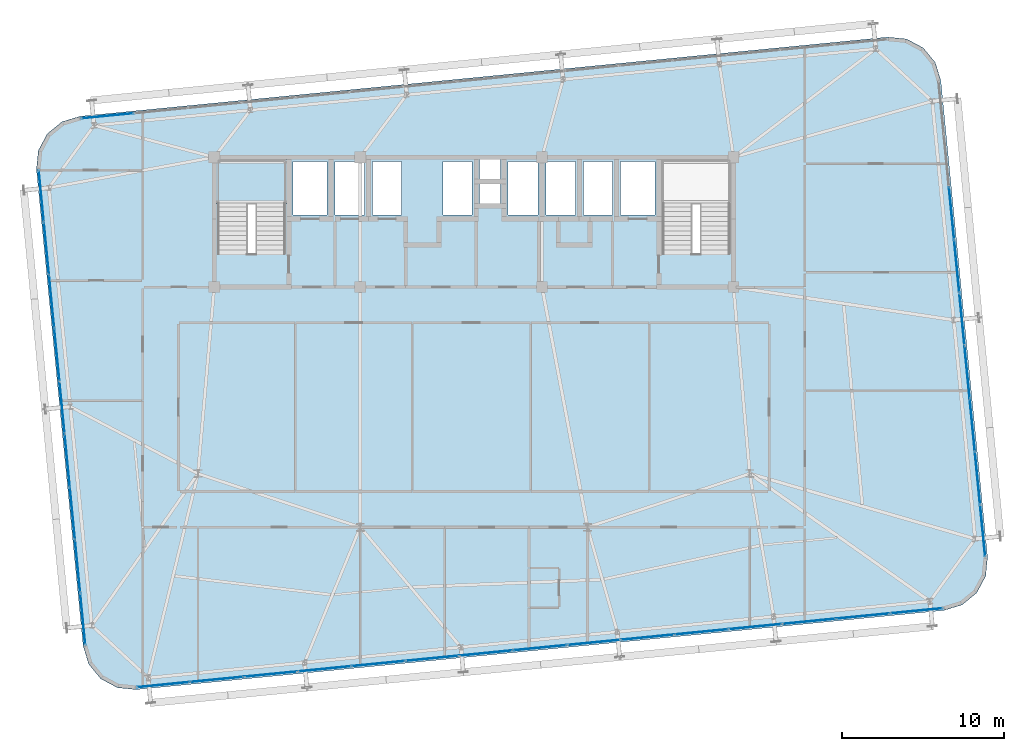
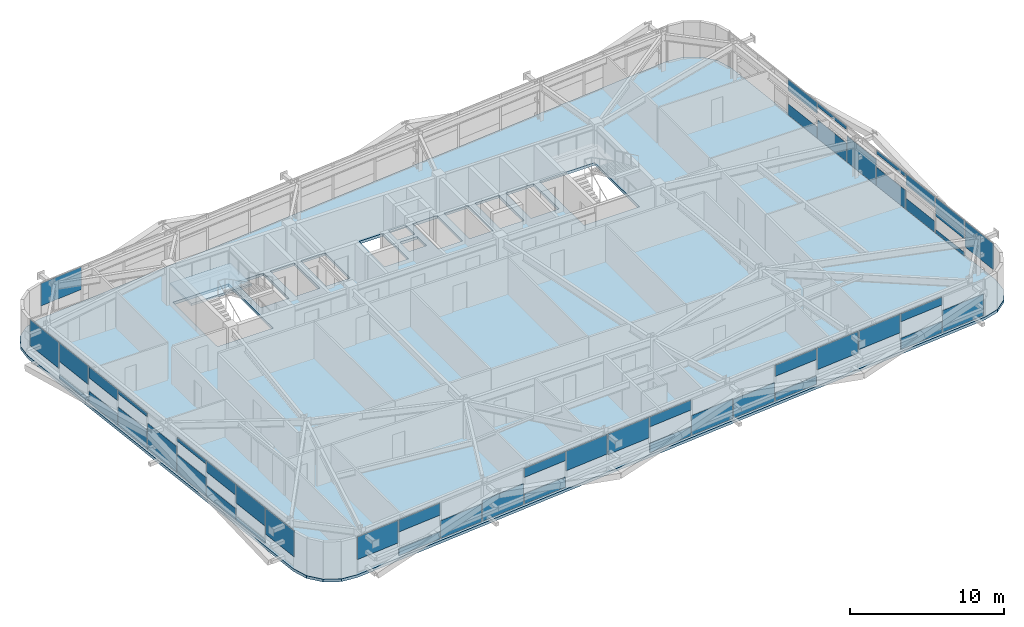
# One storey, part 36 of 52: 48 plates, 2 slabs, 5 elements without a shape of their own.
"""IFC4 building model written with IfcOpenShell, lengths in metres."""

from ifc_helpers import new_model, si_unit, direction, frame, origin, origin_2d, place, context, subcontext, project, spatial, polyline, rectangle, outline, extrude, source, transform, mapped, material, layer, layer_set, type_object, element, aggregate, save


model = new_model("IFC4")

# Units and contexts
model_context = context("Model", 3, precision=1e-05, world=origin(), true_north=direction((0.0, 1.0)))
body_context = subcontext(model_context, "Body", "Model", "MODEL_VIEW")
ifc_project = project(units=[si_unit("LENGTHUNIT", "METRE"), si_unit("AREAUNIT", "SQUARE_METRE"), si_unit("VOLUMEUNIT", "CUBIC_METRE"), si_unit("PLANEANGLEUNIT", "RADIAN"), si_unit("MASSUNIT", "GRAM", prefix="KILO")], contexts=[model_context])

# Site, building, storey
site_placement = place(None, origin())
site = spatial("IfcSite", under=ifc_project, at=site_placement, CompositionType="ELEMENT")
building_placement = place(site_placement, origin())
building = spatial("IfcBuilding", under=site, at=building_placement, Name="Taldren Reach Tower", CompositionType="ELEMENT")
storey_placement = place(building_placement, frame((0.0, 0.0, 93.449951171875)))
storey = spatial("IfcBuildingStorey", under=building, at=storey_placement, Name="L28", CompositionType="ELEMENT", Elevation=93.449951171875)

# Slab
ifc_material_1 = material(Name="Concrete N40 (40 MPa)", Category="concrete")
ifc_layer_1 = layer(ifc_material_1, 0.219970703125)
ifc_layer_set_1 = layer_set([ifc_layer_1], Name="Concrete N40 (40 MPa)")
slab_type_1 = type_object("IfcSlabType", Name="SL-FLR-220", PredefinedType="FLOOR", material=ifc_layer_set_1)
slab_1_placement = place(storey_placement, frame((0.0, 0.0, -0.219970703125)))
element("IfcSlab", 1, at=slab_1_placement, inside=storey, type_object=slab_type_1, Name="Suspended floor slab L28", PredefinedType="FLOOR", context=body_context, shape_type="SweptSolid", body=[
    extrude(outline(polyline([(63.962890625, 4.07421875), (65.0830078125, 4.41357421875), (65.98828125, 5.15576171875), (66.54052734375, 6.187744140625), (66.65576171875, 7.352783203125), (63.777099609375, 36.7119140625), (63.437744140625, 37.832275390625), (62.695556640625, 38.7373046875), (61.663330078125, 39.28955078125), (60.49853515625, 39.40478515625), (10.7373046875, 34.525634765625), (9.616943359375, 34.1865234375), (8.711669921875, 33.4443359375), (8.159423828125, 32.412109375), (8.044189453125, 31.247314453125), (10.923095703125, 1.88818359375), (11.26220703125, 0.767822265625), (12.00439453125, -0.137451171875), (13.03662109375, -0.689697265625), (14.201416015625, -0.804931640625), (63.962890625, 4.07421875)]), holes=[polyline([(19.219970703125, 26.050048828125), (23.3798828125, 26.050048828125), (23.3798828125, 31.820068359375), (19.219970703125, 31.820068359375), (19.219970703125, 26.050048828125)]), polyline([(46.6201171875, 26.050048828125), (50.780029296875, 26.050048828125), (50.780029296875, 31.820068359375), (46.6201171875, 31.820068359375), (46.6201171875, 26.050048828125)]), polyline([(23.85009765625, 28.449951171875), (25.949951171875, 28.449951171875), (25.949951171875, 31.75), (23.85009765625, 31.75), (23.85009765625, 28.449951171875)]), polyline([(44.050048828125, 28.449951171875), (46.14990234375, 28.449951171875), (46.14990234375, 31.75), (44.050048828125, 31.75), (44.050048828125, 28.449951171875)]), polyline([(26.449951171875, 28.449951171875), (28.25, 28.449951171875), (28.25, 31.75), (26.449951171875, 31.75), (26.449951171875, 28.449951171875)]), polyline([(28.75, 28.449951171875), (30.550048828125, 28.449951171875), (30.550048828125, 31.75), (28.75, 31.75), (28.75, 28.449951171875)]), polyline([(33.10009765625, 28.449951171875), (34.89990234375, 28.449951171875), (34.89990234375, 31.75), (33.10009765625, 31.75), (33.10009765625, 28.449951171875)]), polyline([(37.10009765625, 28.449951171875), (38.949951171875, 28.449951171875), (38.949951171875, 31.75), (37.10009765625, 31.75), (37.10009765625, 28.449951171875)]), polyline([(39.449951171875, 28.449951171875), (41.25, 28.449951171875), (41.25, 31.75), (39.449951171875, 31.75), (39.449951171875, 28.449951171875)]), polyline([(41.75, 28.449951171875), (43.550048828125, 28.449951171875), (43.550048828125, 31.75), (41.75, 31.75), (41.75, 28.449951171875)]), polyline([(35.35009765625, 30.64990234375), (36.64990234375, 30.64990234375), (36.64990234375, 31.85009765625), (35.35009765625, 31.85009765625), (35.35009765625, 30.64990234375)]), polyline([(35.35009765625, 29.14990234375), (36.64990234375, 29.14990234375), (36.64990234375, 30.35009765625), (35.35009765625, 30.35009765625), (35.35009765625, 29.14990234375)])]), origin(), (0.0, 0.0, 1.0), 0.219970703125),
])

# Stair, slab
ifc_material_2 = material(Name="Concrete S50 (50 MPa)", Category="concrete")
stair_type = type_object("IfcStairType", Name="ST-HT-315", PredefinedType="HALF_TURN_STAIR", material=ifc_material_2)
stair_placement = place(storey_placement, origin())
stair = element("IfcStair", 2, at=stair_placement, inside=storey, type_object=stair_type, Name="Fire-isolated exit stair ST1 L28", PredefinedType="HALF_TURN_STAIR")
ifc_layer_2 = layer(ifc_material_2, 0.179931640625)
ifc_layer_set_2 = layer_set([ifc_layer_2], Name="Concrete S50 (50 MPa)")
slab_type_2 = type_object("IfcSlabType", Name="SL-LAND-180", PredefinedType="LANDING", material=ifc_layer_set_2)
slab_2_placement = place(storey_placement, frame((0.0, 0.0, 1.39501953125)))
slab_2 = element("IfcSlab", 3, at=slab_2_placement, type_object=slab_type_2, Name="ST1 landing 1", PredefinedType="LANDING", context=body_context, shape_type="SweptSolid", body=[
    extrude(outline(polyline([(19.0400390625, 29.135009765625), (23.56005859375, 29.135009765625), (23.56005859375, 31.8701171875), (19.0400390625, 31.8701171875), (19.0400390625, 29.135009765625)])), origin(), (0.0, 0.0, 1.0), 0.179931640625),
])
aggregate(stair, [slab_2])

# Curtain wall, plates
ifc_material_3 = material(Name="Aluminium and Low-E Glass Unitised System", Category="aluminium")
ifc_layer_3 = layer(ifc_material_3, 0.159912109375)
ifc_layer_set_3 = layer_set([ifc_layer_3], Name="Aluminium and Low-E Glass Unitised System")
curtain_wall_type = type_object("IfcCurtainWallType", Name="CW-SYS-3", PredefinedType="NOTDEFINED", material=ifc_layer_set_3)
curtain_wall_1_placement = place(storey_placement, origin())
curtain_wall_1 = element("IfcCurtainWall", 4, at=curtain_wall_1_placement, inside=storey, type_object=curtain_wall_type, Name="Unitised curtain wall CW-L28-S", PredefinedType="NOTDEFINED")
ifc_material_4 = material(Name="Solar-Control Double Glazed IGU", Category="glass")
ifc_layer_4 = layer(ifc_material_4, 0.031982421875)
ifc_layer_set_4 = layer_set([ifc_layer_4], Name="Solar-Control Double Glazed IGU")
plate_type = type_object("IfcPlateType", Name="CW-PNL-IGU32", PredefinedType="CURTAIN_PANEL", material=ifc_layer_set_4)
shared_shape_1 = source(origin(), body_context, "Body", "SweptSolid", [
    extrude(rectangle(XDim=3.23583984375, YDim=0.031982421875, at=origin_2d()), origin(), (0.0, 0.0, 1.0), 1.72509765625),
])
plate_1_placement = place(storey_placement, frame((62.274169921875, 4.04931640625, 0.054931640625), z_axis=(0.0, 0.0, 1.0), x_axis=(0.995227390247, 0.097582999046, 0.0)))
plate_1 = element("IfcPlate", 5, at=plate_1_placement, type_object=plate_type, Name="CW-3 panel 15.1 part 1", PredefinedType="CURTAIN_PANEL", context=body_context, shape_type="MappedRepresentation", body=[
    mapped(shared_shape_1, transform((0.0, 0.0, 0.0), scale=1.0)),
])
shared_shape_2 = source(origin(), body_context, "Body", "SweptSolid", [
    extrude(rectangle(XDim=3.268310546875, YDim=0.031982421875, at=origin_2d()), origin(), (0.0, 0.0, 1.0), 0.88818359375),
])
plate_2_placement = place(storey_placement, frame((58.972900390625, 3.7255859375, 0.05517578125), z_axis=(0.0, 0.0, 1.0), x_axis=(0.995227390247, 0.097582999046, 0.0)))
plate_2 = element("IfcPlate", 6, at=plate_2_placement, type_object=plate_type, Name="CW-3 panel 14.1 part 1", PredefinedType="CURTAIN_PANEL", context=body_context, shape_type="MappedRepresentation", body=[
    mapped(shared_shape_2, transform((0.0, 0.0, 0.0), scale=1.0)),
])
shared_shape_3 = source(origin(), body_context, "Body", "SweptSolid", [
    extrude(rectangle(XDim=3.268310546875, YDim=0.031982421875, at=origin_2d()), origin(), (0.0, 0.0, 1.0), 0.626953125),
])
plate_3_placement = place(storey_placement, frame((58.972900390625, 3.7255859375, 2.248046875), z_axis=(0.0, 0.0, 1.0), x_axis=(0.995227390247, 0.097582999046, 0.0)))
plate_3 = element("IfcPlate", 7, at=plate_3_placement, type_object=plate_type, Name="CW-3 panel 14.1 part 2", PredefinedType="CURTAIN_PANEL", context=body_context, shape_type="MappedRepresentation", body=[
    mapped(shared_shape_3, transform((0.0, 0.0, 0.0), scale=1.0)),
])
shared_shape_4 = source(origin(), body_context, "Body", "SweptSolid", [
    extrude(rectangle(XDim=3.268310546875, YDim=0.031982421875, at=origin_2d()), origin(), (0.0, 0.0, 1.0), 1.4638671875),
])
plate_4_placement = place(storey_placement, frame((55.655517578125, 3.400390625, 1.4111328125), z_axis=(0.0, 0.0, 1.0), x_axis=(0.995227390247, 0.097582999046, 0.0)))
plate_4 = element("IfcPlate", 8, at=plate_4_placement, type_object=plate_type, Name="CW-3 panel 13.1 part 1", PredefinedType="CURTAIN_PANEL", context=body_context, shape_type="MappedRepresentation", body=[
    mapped(shared_shape_4, transform((0.0, 0.0, 0.0), scale=1.0)),
])
shared_shape_5 = source(origin(), body_context, "Body", "SweptSolid", [
    extrude(rectangle(XDim=3.268310546875, YDim=0.031982421875, at=origin_2d()), origin(), (0.0, 0.0, 1.0), 1.704833984375),
])
plate_5_placement = place(storey_placement, frame((52.338134765625, 3.0751953125, 1.17041015625), z_axis=(0.0, 0.0, 1.0), x_axis=(0.995227390247, 0.097582999046, 0.0)))
plate_5 = element("IfcPlate", 9, at=plate_5_placement, type_object=plate_type, Name="CW-3 panel 12.1 part 1", PredefinedType="CURTAIN_PANEL", context=body_context, shape_type="MappedRepresentation", body=[
    mapped(shared_shape_5, transform((0.0, 0.0, 0.0), scale=1.0)),
])
shared_shape_6 = source(origin(), body_context, "Body", "SweptSolid", [
    extrude(rectangle(XDim=3.268310546875, YDim=0.031982421875, at=origin_2d()), origin(), (0.0, 0.0, 1.0), 0.647216796875),
])
plate_6_placement = place(storey_placement, frame((49.020751953125, 2.749755859375, 0.05517578125), z_axis=(0.0, 0.0, 1.0), x_axis=(0.995227390247, 0.097582999046, 0.0)))
plate_6 = element("IfcPlate", 10, at=plate_6_placement, type_object=plate_type, Name="CW-3 panel 11.1 part 1", PredefinedType="CURTAIN_PANEL", context=body_context, shape_type="MappedRepresentation", body=[
    mapped(shared_shape_6, transform((0.0, 0.0, 0.0), scale=1.0)),
])
shared_shape_7 = source(origin(), body_context, "Body", "SweptSolid", [
    extrude(rectangle(XDim=3.268310546875, YDim=0.031982421875, at=origin_2d()), origin(), (0.0, 0.0, 1.0), 0.867919921875),
])
plate_7_placement = place(storey_placement, frame((49.020751953125, 2.749755859375, 2.00732421875), z_axis=(0.0, 0.0, 1.0), x_axis=(0.995227390247, 0.097582999046, 0.0)))
plate_7 = element("IfcPlate", 11, at=plate_7_placement, type_object=plate_type, Name="CW-3 panel 11.1 part 2", PredefinedType="CURTAIN_PANEL", context=body_context, shape_type="MappedRepresentation", body=[
    mapped(shared_shape_7, transform((0.0, 0.0, 0.0), scale=1.0)),
])
shared_shape_8 = source(origin(), body_context, "Body", "SweptSolid", [
    extrude(rectangle(XDim=3.268310546875, YDim=0.031982421875, at=origin_2d()), origin(), (0.0, 0.0, 1.0), 1.484130859375),
])
plate_8_placement = place(storey_placement, frame((45.703369140625, 2.424560546875, 0.05517578125), z_axis=(0.0, 0.0, 1.0), x_axis=(0.995227390247, 0.097582999046, 0.0)))
plate_8 = element("IfcPlate", 12, at=plate_8_placement, type_object=plate_type, Name="CW-3 panel 10.1 part 1", PredefinedType="CURTAIN_PANEL", context=body_context, shape_type="MappedRepresentation", body=[
    mapped(shared_shape_8, transform((0.0, 0.0, 0.0), scale=1.0)),
])
shared_shape_9 = source(origin(), body_context, "Body", "SweptSolid", [
    extrude(rectangle(XDim=3.268310546875, YDim=0.031982421875, at=origin_2d()), origin(), (0.0, 0.0, 1.0), 1.564453125),
])
plate_9_placement = place(storey_placement, frame((42.3857421875, 2.099365234375, 0.054931640625), z_axis=(0.0, 0.0, 1.0), x_axis=(0.995227390247, 0.097582999046, 0.0)))
plate_9 = element("IfcPlate", 13, at=plate_9_placement, type_object=plate_type, Name="CW-3 panel 9.1 part 1", PredefinedType="CURTAIN_PANEL", context=body_context, shape_type="MappedRepresentation", body=[
    mapped(shared_shape_9, transform((0.0, 0.0, 0.0), scale=1.0)),
])
shared_shape_10 = source(origin(), body_context, "Body", "SweptSolid", [
    extrude(rectangle(XDim=3.268310546875, YDim=0.031982421875, at=origin_2d()), origin(), (0.0, 0.0, 1.0), 0.7275390625),
])
plate_10_placement = place(storey_placement, frame((39.068359375, 1.77392578125, 0.05517578125), z_axis=(0.0, 0.0, 1.0), x_axis=(0.995227390247, 0.097582999046, 0.0)))
plate_10 = element("IfcPlate", 14, at=plate_10_placement, type_object=plate_type, Name="CW-3 panel 8.1 part 1", PredefinedType="CURTAIN_PANEL", context=body_context, shape_type="MappedRepresentation", body=[
    mapped(shared_shape_10, transform((0.0, 0.0, 0.0), scale=1.0)),
])
shared_shape_11 = source(origin(), body_context, "Body", "SweptSolid", [
    extrude(rectangle(XDim=3.268310546875, YDim=0.031982421875, at=origin_2d()), origin(), (0.0, 0.0, 1.0), 0.78759765625),
])
plate_11_placement = place(storey_placement, frame((39.068359375, 1.77392578125, 2.08740234375), z_axis=(0.0, 0.0, 1.0), x_axis=(0.995227390247, 0.097582999046, 0.0)))
plate_11 = element("IfcPlate", 15, at=plate_11_placement, type_object=plate_type, Name="CW-3 panel 8.1 part 2", PredefinedType="CURTAIN_PANEL", context=body_context, shape_type="MappedRepresentation", body=[
    mapped(shared_shape_11, transform((0.0, 0.0, 0.0), scale=1.0)),
])
shared_shape_12 = source(origin(), body_context, "Body", "SweptSolid", [
    extrude(rectangle(XDim=3.268310546875, YDim=0.031982421875, at=origin_2d()), origin(), (0.0, 0.0, 1.0), 1.62451171875),
])
plate_12_placement = place(storey_placement, frame((35.7509765625, 1.44873046875, 1.25048828125), z_axis=(0.0, 0.0, 1.0), x_axis=(0.995227390247, 0.097582999046, 0.0)))
plate_12 = element("IfcPlate", 16, at=plate_12_placement, type_object=plate_type, Name="CW-3 panel 7.1 part 1", PredefinedType="CURTAIN_PANEL", context=body_context, shape_type="MappedRepresentation", body=[
    mapped(shared_shape_12, transform((0.0, 0.0, 0.0), scale=1.0)),
])
shared_shape_13 = source(origin(), body_context, "Body", "SweptSolid", [
    extrude(rectangle(XDim=3.268310546875, YDim=0.031982421875, at=origin_2d()), origin(), (0.0, 0.0, 1.0), 1.544189453125),
])
plate_13_placement = place(storey_placement, frame((32.43359375, 1.12353515625, 1.3310546875), z_axis=(0.0, 0.0, 1.0), x_axis=(0.995227390247, 0.097582999046, 0.0)))
plate_13 = element("IfcPlate", 17, at=plate_13_placement, type_object=plate_type, Name="CW-3 panel 6.1 part 1", PredefinedType="CURTAIN_PANEL", context=body_context, shape_type="MappedRepresentation", body=[
    mapped(shared_shape_13, transform((0.0, 0.0, 0.0), scale=1.0)),
])
shared_shape_14 = source(origin(), body_context, "Body", "SweptSolid", [
    extrude(rectangle(XDim=3.268310546875, YDim=0.031982421875, at=origin_2d()), origin(), (0.0, 0.0, 1.0), 0.807861328125),
])
plate_14_placement = place(storey_placement, frame((29.1162109375, 0.798095703125, 0.05517578125), z_axis=(0.0, 0.0, 1.0), x_axis=(0.995227390247, 0.097582999046, 0.0)))
plate_14 = element("IfcPlate", 18, at=plate_14_placement, type_object=plate_type, Name="CW-3 panel 5.1 part 1", PredefinedType="CURTAIN_PANEL", context=body_context, shape_type="MappedRepresentation", body=[
    mapped(shared_shape_14, transform((0.0, 0.0, 0.0), scale=1.0)),
])
shared_shape_15 = source(origin(), body_context, "Body", "SweptSolid", [
    extrude(rectangle(XDim=3.268310546875, YDim=0.031982421875, at=origin_2d()), origin(), (0.0, 0.0, 1.0), 0.707275390625),
])
plate_15_placement = place(storey_placement, frame((29.1162109375, 0.798095703125, 2.16796875), z_axis=(0.0, 0.0, 1.0), x_axis=(0.995227390247, 0.097582999046, 0.0)))
plate_15 = element("IfcPlate", 19, at=plate_15_placement, type_object=plate_type, Name="CW-3 panel 5.1 part 2", PredefinedType="CURTAIN_PANEL", context=body_context, shape_type="MappedRepresentation", body=[
    mapped(shared_shape_15, transform((0.0, 0.0, 0.0), scale=1.0)),
])
shared_shape_16 = source(origin(), body_context, "Body", "SweptSolid", [
    extrude(rectangle(XDim=3.268310546875, YDim=0.031982421875, at=origin_2d()), origin(), (0.0, 0.0, 1.0), 1.644775390625),
])
plate_16_placement = place(storey_placement, frame((25.798828125, 0.472900390625, 0.05517578125), z_axis=(0.0, 0.0, 1.0), x_axis=(0.995227390247, 0.097582999046, 0.0)))
plate_16 = element("IfcPlate", 20, at=plate_16_placement, type_object=plate_type, Name="CW-3 panel 4.1 part 1", PredefinedType="CURTAIN_PANEL", context=body_context, shape_type="MappedRepresentation", body=[
    mapped(shared_shape_16, transform((0.0, 0.0, 0.0), scale=1.0)),
])
shared_shape_17 = source(origin(), body_context, "Body", "SweptSolid", [
    extrude(rectangle(XDim=3.268310546875, YDim=0.031982421875, at=origin_2d()), origin(), (0.0, 0.0, 1.0), 1.40380859375),
])
plate_17_placement = place(storey_placement, frame((22.481201171875, 0.147705078125, 0.054931640625), z_axis=(0.0, 0.0, 1.0), x_axis=(0.995227390247, 0.097582999046, 0.0)))
plate_17 = element("IfcPlate", 21, at=plate_17_placement, type_object=plate_type, Name="CW-3 panel 3.1 part 1", PredefinedType="CURTAIN_PANEL", context=body_context, shape_type="MappedRepresentation", body=[
    mapped(shared_shape_17, transform((0.0, 0.0, 0.0), scale=1.0)),
])
shared_shape_18 = source(origin(), body_context, "Body", "SweptSolid", [
    extrude(rectangle(XDim=3.268310546875, YDim=0.031982421875, at=origin_2d()), origin(), (0.0, 0.0, 1.0), 0.56689453125),
])
plate_18_placement = place(storey_placement, frame((19.163818359375, -0.177734375, 0.05517578125), z_axis=(0.0, 0.0, 1.0), x_axis=(0.995227390247, 0.097582999046, 0.0)))
plate_18 = element("IfcPlate", 22, at=plate_18_placement, type_object=plate_type, Name="CW-3 panel 2.1 part 1", PredefinedType="CURTAIN_PANEL", context=body_context, shape_type="MappedRepresentation", body=[
    mapped(shared_shape_18, transform((0.0, 0.0, 0.0), scale=1.0)),
])
shared_shape_19 = source(origin(), body_context, "Body", "SweptSolid", [
    extrude(rectangle(XDim=3.268310546875, YDim=0.031982421875, at=origin_2d()), origin(), (0.0, 0.0, 1.0), 0.9482421875),
])
plate_19_placement = place(storey_placement, frame((19.163818359375, -0.177734375, 1.9267578125), z_axis=(0.0, 0.0, 1.0), x_axis=(0.995227390247, 0.097582999046, 0.0)))
plate_19 = element("IfcPlate", 23, at=plate_19_placement, type_object=plate_type, Name="CW-3 panel 2.1 part 2", PredefinedType="CURTAIN_PANEL", context=body_context, shape_type="MappedRepresentation", body=[
    mapped(shared_shape_19, transform((0.0, 0.0, 0.0), scale=1.0)),
])
shared_shape_20 = source(origin(), body_context, "Body", "SweptSolid", [
    extrude(rectangle(XDim=3.23583984375, YDim=0.031982421875, at=origin_2d()), origin(), (0.0, 0.0, 1.0), 1.78515625),
])
plate_20_placement = place(storey_placement, frame((15.862548828125, -0.501220703125, 1.08984375), z_axis=(0.0, 0.0, 1.0), x_axis=(0.995227390247, 0.097582999046, 0.0)))
plate_20 = element("IfcPlate", 24, at=plate_20_placement, type_object=plate_type, Name="CW-3 panel 1.1 part 1", PredefinedType="CURTAIN_PANEL", context=body_context, shape_type="MappedRepresentation", body=[
    mapped(shared_shape_20, transform((0.0, 0.0, 0.0), scale=1.0)),
])
aggregate(curtain_wall_1, [plate_20, plate_18, plate_19, plate_17, plate_16, plate_14, plate_15, plate_13, plate_12, plate_10, plate_11, plate_9, plate_8, plate_6, plate_7, plate_5, plate_4, plate_2, plate_3, plate_1])

# Curtain wall, plate
curtain_wall_2_placement = place(storey_placement, origin())
curtain_wall_2 = element("IfcCurtainWall", 25, at=curtain_wall_2_placement, inside=storey, type_object=curtain_wall_type, Name="Unitised curtain wall CW-L28-N", PredefinedType="NOTDEFINED")
plate_21_placement = place(storey_placement, frame((12.42578125, 34.550537109375, 1.08984375), z_axis=(0.0, 0.0, 1.0), x_axis=(-0.995227390247, -0.097582999046, 0.0)))
plate_21 = element("IfcPlate", 26, at=plate_21_placement, type_object=plate_type, Name="CW-3 panel 15.1 part 1", PredefinedType="CURTAIN_PANEL", context=body_context, shape_type="MappedRepresentation", body=[
    mapped(shared_shape_20, transform((0.0, 0.0, 0.0), scale=1.0)),
])
aggregate(curtain_wall_2, [plate_21])

# Curtain wall, plates
curtain_wall_3_placement = place(storey_placement, origin())
curtain_wall_3 = element("IfcCurtainWall", 27, at=curtain_wall_3_placement, inside=storey, type_object=curtain_wall_type, Name="Unitised curtain wall CW-L28-W", PredefinedType="NOTDEFINED")
shared_shape_21 = source(origin(), body_context, "Body", "SweptSolid", [
    extrude(rectangle(XDim=3.18017578125, YDim=0.031982421875, at=origin_2d()), origin(), (0.0, 0.0, 1.0), 2.049560546875),
])
plate_22_placement = place(storey_placement, frame((8.34521484375, 29.61376953125, 0.82568359375), z_axis=(0.0, 0.0, 1.0), x_axis=(0.09758274098, -0.99522741555, 0.0)))
plate_22 = element("IfcPlate", 28, at=plate_22_placement, type_object=plate_type, Name="CW-3 panel 1.1 part 1", PredefinedType="CURTAIN_PANEL", context=body_context, shape_type="MappedRepresentation", body=[
    mapped(shared_shape_21, transform((0.0, 0.0, 0.0), scale=1.0)),
])
plate_23_placement = place(storey_placement, frame((10.90087890625, 3.549072265625, 0.82568359375), z_axis=(0.0, 0.0, 1.0), x_axis=(0.09758274098, -0.99522741555, 0.0)))
plate_23 = element("IfcPlate", 29, at=plate_23_placement, type_object=plate_type, Name="CW-3 panel 9.1 part 1", PredefinedType="CURTAIN_PANEL", context=body_context, shape_type="MappedRepresentation", body=[
    mapped(shared_shape_21, transform((0.0, 0.0, 0.0), scale=1.0)),
])

# Curtain wall, plate
curtain_wall_4_placement = place(storey_placement, origin())
curtain_wall_4 = element("IfcCurtainWall", 30, at=curtain_wall_4_placement, inside=storey, type_object=curtain_wall_type, Name="Unitised curtain wall CW-L28-E", PredefinedType="NOTDEFINED")
plate_24_placement = place(storey_placement, frame((66.35498046875, 8.986328125, 0.82568359375), z_axis=(0.0, 0.0, 1.0), x_axis=(-0.09758274098, 0.99522741555, 0.0)))
plate_24 = element("IfcPlate", 31, at=plate_24_placement, type_object=plate_type, Name="CW-3 panel 1.1 part 1", PredefinedType="CURTAIN_PANEL", context=body_context, shape_type="MappedRepresentation", body=[
    mapped(shared_shape_21, transform((0.0, 0.0, 0.0), scale=1.0)),
])

# Plate
shared_shape_22 = source(origin(), body_context, "Body", "SweptSolid", [
    extrude(rectangle(XDim=3.212890625, YDim=0.031982421875, at=origin_2d()), origin(), (0.0, 0.0, 1.0), 0.3046875),
])
plate_25_placement = place(storey_placement, frame((8.663330078125, 26.36767578125, 0.05517578125), z_axis=(0.0, 0.0, 1.0), x_axis=(0.09758274098, -0.99522741555, 0.0)))
plate_25 = element("IfcPlate", 32, at=plate_25_placement, type_object=plate_type, Name="CW-3 panel 2.1 part 1", PredefinedType="CURTAIN_PANEL", context=body_context, shape_type="MappedRepresentation", body=[
    mapped(shared_shape_22, transform((0.0, 0.0, 0.0), scale=1.0)),
])

plate_26_placement = place(storey_placement, frame((10.58251953125, 6.794921875, 0.05517578125), z_axis=(0.0, 0.0, 1.0), x_axis=(0.09758274098, -0.99522741555, 0.0)))
plate_26 = element("IfcPlate", 33, at=plate_26_placement, type_object=plate_type, Name="CW-3 panel 8.1 part 1", PredefinedType="CURTAIN_PANEL", context=body_context, shape_type="MappedRepresentation", body=[
    mapped(shared_shape_22, transform((0.0, 0.0, 0.0), scale=1.0)),
])

plate_27_placement = place(storey_placement, frame((66.03662109375, 12.232177734375, 0.05517578125), z_axis=(0.0, 0.0, 1.0), x_axis=(-0.09758274098, 0.99522741555, 0.0)))
plate_27 = element("IfcPlate", 34, at=plate_27_placement, type_object=plate_type, Name="CW-3 panel 2.1 part 1", PredefinedType="CURTAIN_PANEL", context=body_context, shape_type="MappedRepresentation", body=[
    mapped(shared_shape_22, transform((0.0, 0.0, 0.0), scale=1.0)),
])

shared_shape_23 = source(origin(), body_context, "Body", "SweptSolid", [
    extrude(rectangle(XDim=3.212890625, YDim=0.031982421875, at=origin_2d()), origin(), (0.0, 0.0, 1.0), 1.461669921875),
])
plate_28_placement = place(storey_placement, frame((8.663330078125, 26.36767578125, 1.41357421875), z_axis=(0.0, 0.0, 1.0), x_axis=(0.09758274098, -0.99522741555, 0.0)))
plate_28 = element("IfcPlate", 35, at=plate_28_placement, type_object=plate_type, Name="CW-3 panel 2.1 part 2", PredefinedType="CURTAIN_PANEL", context=body_context, shape_type="MappedRepresentation", body=[
    mapped(shared_shape_23, transform((0.0, 0.0, 0.0), scale=1.0)),
])

plate_29_placement = place(storey_placement, frame((10.58251953125, 6.794921875, 1.41357421875), z_axis=(0.0, 0.0, 1.0), x_axis=(0.09758274098, -0.99522741555, 0.0)))
plate_29 = element("IfcPlate", 36, at=plate_29_placement, type_object=plate_type, Name="CW-3 panel 8.1 part 2", PredefinedType="CURTAIN_PANEL", context=body_context, shape_type="MappedRepresentation", body=[
    mapped(shared_shape_23, transform((0.0, 0.0, 0.0), scale=1.0)),
])

plate_30_placement = place(storey_placement, frame((66.03662109375, 12.232177734375, 1.41357421875), z_axis=(0.0, 0.0, 1.0), x_axis=(-0.09758274098, 0.99522741555, 0.0)))
plate_30 = element("IfcPlate", 37, at=plate_30_placement, type_object=plate_type, Name="CW-3 panel 2.1 part 2", PredefinedType="CURTAIN_PANEL", context=body_context, shape_type="MappedRepresentation", body=[
    mapped(shared_shape_23, transform((0.0, 0.0, 0.0), scale=1.0)),
])

shared_shape_24 = source(origin(), body_context, "Body", "SweptSolid", [
    extrude(rectangle(XDim=3.212890625, YDim=0.031982421875, at=origin_2d()), origin(), (0.0, 0.0, 1.0), 0.892578125),
])
plate_31_placement = place(storey_placement, frame((8.983154296875, 23.105712890625, 0.05517578125), z_axis=(0.0, 0.0, 1.0), x_axis=(0.09758274098, -0.99522741555, 0.0)))
plate_31 = element("IfcPlate", 38, at=plate_31_placement, type_object=plate_type, Name="CW-3 panel 3.1 part 1", PredefinedType="CURTAIN_PANEL", context=body_context, shape_type="MappedRepresentation", body=[
    mapped(shared_shape_24, transform((0.0, 0.0, 0.0), scale=1.0)),
])

plate_32_placement = place(storey_placement, frame((10.2626953125, 10.05712890625, 0.05517578125), z_axis=(0.0, 0.0, 1.0), x_axis=(0.09758274098, -0.99522741555, 0.0)))
plate_32 = element("IfcPlate", 39, at=plate_32_placement, type_object=plate_type, Name="CW-3 panel 7.1 part 1", PredefinedType="CURTAIN_PANEL", context=body_context, shape_type="MappedRepresentation", body=[
    mapped(shared_shape_24, transform((0.0, 0.0, 0.0), scale=1.0)),
])

plate_33_placement = place(storey_placement, frame((65.716796875, 15.494384765625, 0.05517578125), z_axis=(0.0, 0.0, 1.0), x_axis=(-0.09758274098, 0.99522741555, 0.0)))
plate_33 = element("IfcPlate", 40, at=plate_33_placement, type_object=plate_type, Name="CW-3 panel 3.1 part 1", PredefinedType="CURTAIN_PANEL", context=body_context, shape_type="MappedRepresentation", body=[
    mapped(shared_shape_24, transform((0.0, 0.0, 0.0), scale=1.0)),
])

plate_34_placement = place(storey_placement, frame((64.437255859375, 28.54296875, 0.05517578125), z_axis=(0.0, 0.0, 1.0), x_axis=(-0.09758274098, 0.99522741555, 0.0)))
plate_34 = element("IfcPlate", 41, at=plate_34_placement, type_object=plate_type, Name="CW-3 panel 7.1 part 1", PredefinedType="CURTAIN_PANEL", context=body_context, shape_type="MappedRepresentation", body=[
    mapped(shared_shape_24, transform((0.0, 0.0, 0.0), scale=1.0)),
])

shared_shape_25 = source(origin(), body_context, "Body", "SweptSolid", [
    extrude(rectangle(XDim=3.212890625, YDim=0.031982421875, at=origin_2d()), origin(), (0.0, 0.0, 1.0), 0.873779296875),
])
plate_35_placement = place(storey_placement, frame((8.983154296875, 23.105712890625, 2.0009765625), z_axis=(0.0, 0.0, 1.0), x_axis=(0.09758274098, -0.99522741555, 0.0)))
plate_35 = element("IfcPlate", 42, at=plate_35_placement, type_object=plate_type, Name="CW-3 panel 3.1 part 2", PredefinedType="CURTAIN_PANEL", context=body_context, shape_type="MappedRepresentation", body=[
    mapped(shared_shape_25, transform((0.0, 0.0, 0.0), scale=1.0)),
])

plate_36_placement = place(storey_placement, frame((10.2626953125, 10.05712890625, 2.0009765625), z_axis=(0.0, 0.0, 1.0), x_axis=(0.09758274098, -0.99522741555, 0.0)))
plate_36 = element("IfcPlate", 43, at=plate_36_placement, type_object=plate_type, Name="CW-3 panel 7.1 part 2", PredefinedType="CURTAIN_PANEL", context=body_context, shape_type="MappedRepresentation", body=[
    mapped(shared_shape_25, transform((0.0, 0.0, 0.0), scale=1.0)),
])

plate_37_placement = place(storey_placement, frame((65.716796875, 15.494384765625, 2.0009765625), z_axis=(0.0, 0.0, 1.0), x_axis=(-0.09758274098, 0.99522741555, 0.0)))
plate_37 = element("IfcPlate", 44, at=plate_37_placement, type_object=plate_type, Name="CW-3 panel 3.1 part 2", PredefinedType="CURTAIN_PANEL", context=body_context, shape_type="MappedRepresentation", body=[
    mapped(shared_shape_25, transform((0.0, 0.0, 0.0), scale=1.0)),
])

plate_38_placement = place(storey_placement, frame((64.437255859375, 28.54296875, 2.0009765625), z_axis=(0.0, 0.0, 1.0), x_axis=(-0.09758274098, 0.99522741555, 0.0)))
plate_38 = element("IfcPlate", 45, at=plate_38_placement, type_object=plate_type, Name="CW-3 panel 7.1 part 2", PredefinedType="CURTAIN_PANEL", context=body_context, shape_type="MappedRepresentation", body=[
    mapped(shared_shape_25, transform((0.0, 0.0, 0.0), scale=1.0)),
])

shared_shape_26 = source(origin(), body_context, "Body", "SweptSolid", [
    extrude(rectangle(XDim=3.212890625, YDim=0.031982421875, at=origin_2d()), origin(), (0.0, 0.0, 1.0), 1.48046875),
])
plate_39_placement = place(storey_placement, frame((9.30322265625, 19.843505859375, 0.054931640625), z_axis=(0.0, 0.0, 1.0), x_axis=(0.09758274098, -0.99522741555, 0.0)))
plate_39 = element("IfcPlate", 46, at=plate_39_placement, type_object=plate_type, Name="CW-3 panel 4.1 part 1", PredefinedType="CURTAIN_PANEL", context=body_context, shape_type="MappedRepresentation", body=[
    mapped(shared_shape_26, transform((0.0, 0.0, 0.0), scale=1.0)),
])

plate_40_placement = place(storey_placement, frame((9.94287109375, 13.319091796875, 0.054931640625), z_axis=(0.0, 0.0, 1.0), x_axis=(0.09758274098, -0.99522741555, 0.0)))
plate_40 = element("IfcPlate", 47, at=plate_40_placement, type_object=plate_type, Name="CW-3 panel 6.1 part 1", PredefinedType="CURTAIN_PANEL", context=body_context, shape_type="MappedRepresentation", body=[
    mapped(shared_shape_26, transform((0.0, 0.0, 0.0), scale=1.0)),
])

plate_41_placement = place(storey_placement, frame((65.39697265625, 18.756591796875, 0.054931640625), z_axis=(0.0, 0.0, 1.0), x_axis=(-0.09758274098, 0.99522741555, 0.0)))
plate_41 = element("IfcPlate", 48, at=plate_41_placement, type_object=plate_type, Name="CW-3 panel 4.1 part 1", PredefinedType="CURTAIN_PANEL", context=body_context, shape_type="MappedRepresentation", body=[
    mapped(shared_shape_26, transform((0.0, 0.0, 0.0), scale=1.0)),
])

plate_42_placement = place(storey_placement, frame((64.757080078125, 25.28076171875, 0.054931640625), z_axis=(0.0, 0.0, 1.0), x_axis=(-0.09758274098, 0.99522741555, 0.0)))
plate_42 = element("IfcPlate", 49, at=plate_42_placement, type_object=plate_type, Name="CW-3 panel 6.1 part 1", PredefinedType="CURTAIN_PANEL", context=body_context, shape_type="MappedRepresentation", body=[
    mapped(shared_shape_26, transform((0.0, 0.0, 0.0), scale=1.0)),
])

shared_shape_27 = source(origin(), body_context, "Body", "SweptSolid", [
    extrude(rectangle(XDim=3.212890625, YDim=0.031982421875, at=origin_2d()), origin(), (0.0, 0.0, 1.0), 0.2861328125),
])
plate_43_placement = place(storey_placement, frame((9.30322265625, 19.843505859375, 2.5888671875), z_axis=(0.0, 0.0, 1.0), x_axis=(0.09758274098, -0.99522741555, 0.0)))
plate_43 = element("IfcPlate", 50, at=plate_43_placement, type_object=plate_type, Name="CW-3 panel 4.1 part 2", PredefinedType="CURTAIN_PANEL", context=body_context, shape_type="MappedRepresentation", body=[
    mapped(shared_shape_27, transform((0.0, 0.0, 0.0), scale=1.0)),
])

plate_44_placement = place(storey_placement, frame((9.94287109375, 13.319091796875, 2.5888671875), z_axis=(0.0, 0.0, 1.0), x_axis=(0.09758274098, -0.99522741555, 0.0)))
plate_44 = element("IfcPlate", 51, at=plate_44_placement, type_object=plate_type, Name="CW-3 panel 6.1 part 2", PredefinedType="CURTAIN_PANEL", context=body_context, shape_type="MappedRepresentation", body=[
    mapped(shared_shape_27, transform((0.0, 0.0, 0.0), scale=1.0)),
])

plate_45_placement = place(storey_placement, frame((65.39697265625, 18.756591796875, 2.5888671875), z_axis=(0.0, 0.0, 1.0), x_axis=(-0.09758274098, 0.99522741555, 0.0)))
plate_45 = element("IfcPlate", 52, at=plate_45_placement, type_object=plate_type, Name="CW-3 panel 4.1 part 2", PredefinedType="CURTAIN_PANEL", context=body_context, shape_type="MappedRepresentation", body=[
    mapped(shared_shape_27, transform((0.0, 0.0, 0.0), scale=1.0)),
])

plate_46_placement = place(storey_placement, frame((64.757080078125, 25.28076171875, 2.5888671875), z_axis=(0.0, 0.0, 1.0), x_axis=(-0.09758274098, 0.99522741555, 0.0)))
plate_46 = element("IfcPlate", 53, at=plate_46_placement, type_object=plate_type, Name="CW-3 panel 6.1 part 2", PredefinedType="CURTAIN_PANEL", context=body_context, shape_type="MappedRepresentation", body=[
    mapped(shared_shape_27, transform((0.0, 0.0, 0.0), scale=1.0)),
])

shared_shape_28 = source(origin(), body_context, "Body", "SweptSolid", [
    extrude(rectangle(XDim=3.212890625, YDim=0.031982421875, at=origin_2d()), origin(), (0.0, 0.0, 1.0), 2.068359375),
])
plate_47_placement = place(storey_placement, frame((9.623046875, 16.581298828125, 0.054931640625), z_axis=(0.0, 0.0, 1.0), x_axis=(0.09758274098, -0.99522741555, 0.0)))
plate_47 = element("IfcPlate", 54, at=plate_47_placement, type_object=plate_type, Name="CW-3 panel 5.1 part 1", PredefinedType="CURTAIN_PANEL", context=body_context, shape_type="MappedRepresentation", body=[
    mapped(shared_shape_28, transform((0.0, 0.0, 0.0), scale=1.0)),
])

aggregate(curtain_wall_3, [plate_22, plate_25, plate_28, plate_31, plate_35, plate_39, plate_43, plate_47, plate_40, plate_44, plate_32, plate_36, plate_26, plate_29, plate_23])

plate_48_placement = place(storey_placement, frame((65.0771484375, 22.0185546875, 0.054931640625), z_axis=(0.0, 0.0, 1.0), x_axis=(-0.09758274098, 0.99522741555, 0.0)))
plate_48 = element("IfcPlate", 55, at=plate_48_placement, type_object=plate_type, Name="CW-3 panel 5.1 part 1", PredefinedType="CURTAIN_PANEL", context=body_context, shape_type="MappedRepresentation", body=[
    mapped(shared_shape_28, transform((0.0, 0.0, 0.0), scale=1.0)),
])

aggregate(curtain_wall_4, [plate_24, plate_27, plate_30, plate_33, plate_37, plate_41, plate_45, plate_48, plate_42, plate_46, plate_34, plate_38])

save(model, "model.ifc")
